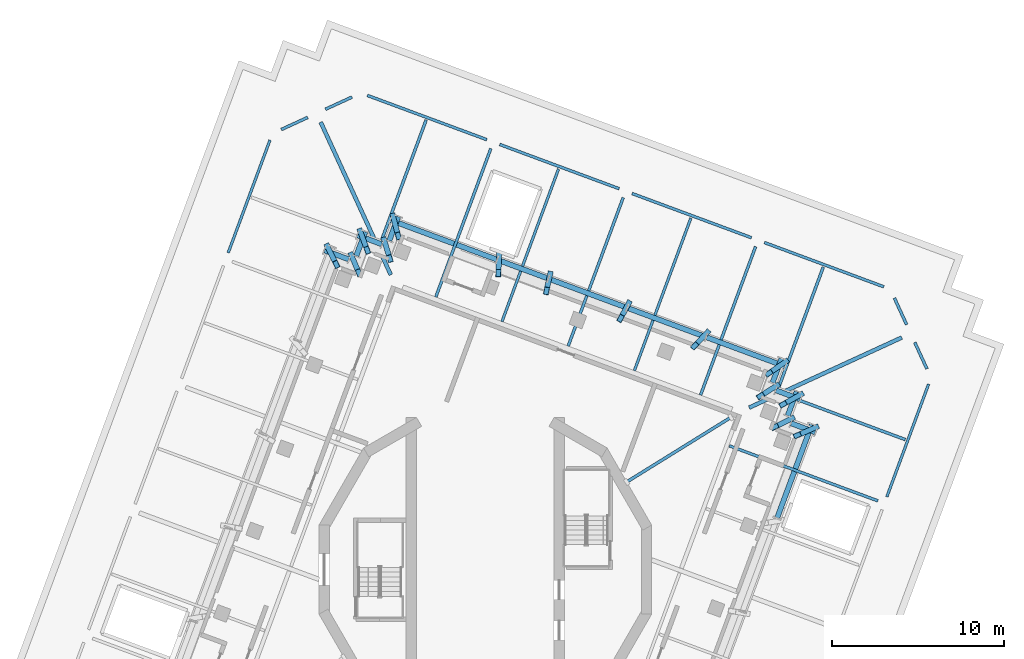
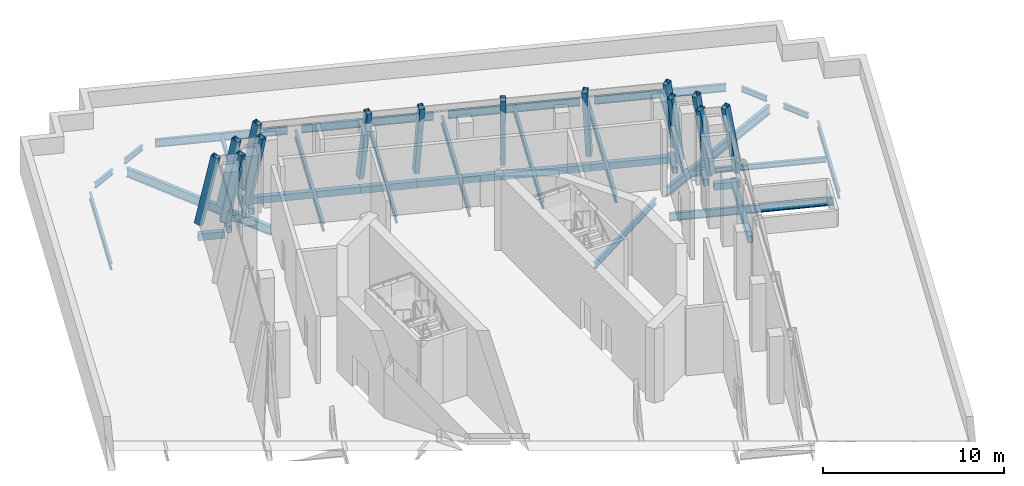
# One storey, part 3 of 12: 28 members, 22 beams, 15 elements without a shape of their own.
"""IFC4 building model written with IfcOpenShell, lengths in metres."""

from ifc_helpers import new_model, si_unit, direction, frame, origin, origin_2d, place, context, subcontext, project, spatial, hollow_rectangle, i_section, extrude, material, material_profile, profile_set, type_object, element, aggregate, save


model = new_model("IFC4")

# Units and contexts
model_context = context("Model", 3, precision=1e-05, world=origin(), true_north=direction((0.0, 1.0)))
body_context = subcontext(model_context, "Body", "Model", "MODEL_VIEW")
ifc_project = project(units=[si_unit("LENGTHUNIT", "METRE"), si_unit("AREAUNIT", "SQUARE_METRE"), si_unit("VOLUMEUNIT", "CUBIC_METRE"), si_unit("PLANEANGLEUNIT", "RADIAN"), si_unit("MASSUNIT", "GRAM", prefix="KILO")], contexts=[model_context])

# Site, building, storey
site_placement = place(None, origin())
site = spatial("IfcSite", under=ifc_project, at=site_placement, CompositionType="ELEMENT")
building_placement = place(site_placement, origin())
building = spatial("IfcBuilding", under=site, at=building_placement, Name="Cantera Rosa Tower", CompositionType="ELEMENT")
storey_placement = place(building_placement, frame((0.0, 0.0, 345.699951171875)))
storey = spatial("IfcBuildingStorey", under=building, at=storey_placement, Name="L78", CompositionType="ELEMENT", Elevation=345.699951171875)

# Curtain wall, member
ifc_material_1 = material(Name="Aluminium frame with clear glass", Category="aluminium")
curtain_wall_type = type_object("IfcCurtainWallType", Name="CW4 CROWN GLAZING", PredefinedType="NOTDEFINED", material=ifc_material_1)
curtain_wall_1_placement = place(storey_placement, origin())
curtain_wall_1 = element("IfcCurtainWall", 1, at=curtain_wall_1_placement, inside=storey, type_object=curtain_wall_type, Name="CW4 L78-01", PredefinedType="NOTDEFINED")
ifc_material_2 = material(Name="Steel S355J2 (EN 10025-2)", Category="steel")
ifc_material_profile_1 = material_profile(ifc_material_2, hollow_rectangle(XDim=0.300048828125, YDim=0.449951171875, WallThickness=0.01611328125, at=origin_2d()), Name="CROWN FRAME MULLION RHS 300x450x16")
ifc_profile_set_1 = profile_set([ifc_material_profile_1], Name="Steel S355J2 (EN 10025-2)")
member_type_1 = type_object("IfcMemberType", Name="CROWN FRAME MULLION RHS 300x450x16", PredefinedType="MULLION", material=ifc_profile_set_1)
member_1_placement = place(storey_placement, frame((17.40966796875, 12.0546875, 0.0), z_axis=(-0.183485118083, -0.127035481236, 0.974779563773), x_axis=(0.569232159269, -0.822176835513, 0.0)))
member_1 = element("IfcMember", 2, at=member_1_placement, type_object=member_type_1, Name="CROWN FRAME rib L78-01", PredefinedType="MULLION", context=body_context, shape_type="SweptSolid", body=[
    extrude(hollow_rectangle(XDim=0.300048828125, YDim=0.449951171875, WallThickness=0.01611328125, at=origin_2d()), origin(), (0.0, 0.0, 1.0), 5.12939453125),
])

curtain_wall_2_placement = place(storey_placement, origin())
curtain_wall_2 = element("IfcCurtainWall", 3, at=curtain_wall_2_placement, inside=storey, type_object=curtain_wall_type, Name="CW4 L78-02", PredefinedType="NOTDEFINED")
member_2_placement = place(storey_placement, frame((12.857666015625, 13.741455078125, 0.0), z_axis=(-0.136223280906, -0.145553642612, 0.979927219165), x_axis=(0.730120754726, -0.683318142243, 0.0)))
member_2 = element("IfcMember", 4, at=member_2_placement, type_object=member_type_1, Name="CROWN FRAME rib L78-02", PredefinedType="MULLION", context=body_context, shape_type="SweptSolid", body=[
    extrude(hollow_rectangle(XDim=0.300048828125, YDim=0.449951171875, WallThickness=0.01611328125, at=origin_2d()), origin(), (0.0, 0.0, 1.0), 5.1025390625),
])

curtain_wall_3_placement = place(storey_placement, origin())
curtain_wall_3 = element("IfcCurtainWall", 5, at=curtain_wall_3_placement, inside=storey, type_object=curtain_wall_type, Name="CW4 L78-03", PredefinedType="NOTDEFINED")
member_3_placement = place(storey_placement, frame((8.305908203125, 15.42822265625, 0.0), z_axis=(-0.088225909916, -0.163882386228, 0.982526718366), x_axis=(0.880512480257, -0.474022965806, 0.0)))
member_3 = element("IfcMember", 6, at=member_3_placement, type_object=member_type_1, Name="CROWN FRAME rib L78-03", PredefinedType="MULLION", context=body_context, shape_type="SweptSolid", body=[
    extrude(hollow_rectangle(XDim=0.300048828125, YDim=0.449951171875, WallThickness=0.01611328125, at=origin_2d()), origin(), (0.0, 0.0, 1.0), 5.0888671875),
])

curtain_wall_4_placement = place(storey_placement, origin())
curtain_wall_4 = element("IfcCurtainWall", 7, at=curtain_wall_4_placement, inside=storey, type_object=curtain_wall_type, Name="CW4 L78-04", PredefinedType="NOTDEFINED")
member_4_placement = place(storey_placement, frame((3.75390625, 17.114990234375, 0.0), z_axis=(-0.039867351696, -0.18177785268, 0.98253112243), x_axis=(0.976783829743, -0.214227332414, 0.0)))
member_4 = element("IfcMember", 8, at=member_4_placement, type_object=member_type_1, Name="CROWN FRAME rib L78-04", PredefinedType="MULLION", context=body_context, shape_type="SweptSolid", body=[
    extrude(hollow_rectangle(XDim=0.300048828125, YDim=0.449951171875, WallThickness=0.01611328125, at=origin_2d()), origin(), (0.0, 0.0, 1.0), 5.0888671875),
])

curtain_wall_5_placement = place(storey_placement, origin())
curtain_wall_5 = element("IfcCurtainWall", 9, at=curtain_wall_5_placement, inside=storey, type_object=curtain_wall_type, Name="CW4 L78-05", PredefinedType="NOTDEFINED")
member_5_placement = place(storey_placement, frame((0.80224609375, 18.208984375, 0.0), z_axis=(-0.00852740126, -0.193160010572, 0.98113021243), x_axis=(0.999026950985, -0.044103868372, 0.0)))
member_5 = element("IfcMember", 10, at=member_5_placement, type_object=member_type_1, Name="CROWN FRAME rib L78-05", PredefinedType="MULLION", context=body_context, shape_type="SweptSolid", body=[
    extrude(hollow_rectangle(XDim=0.300048828125, YDim=0.449951171875, WallThickness=0.01611328125, at=origin_2d()), origin(), (0.0, 0.0, 1.0), 5.09619140625),
])

curtain_wall_6_placement = place(storey_placement, origin())
curtain_wall_6 = element("IfcCurtainWall", 11, at=curtain_wall_6_placement, inside=storey, type_object=curtain_wall_type, Name="CW4 L78-06", PredefinedType="NOTDEFINED")
member_6_placement = place(storey_placement, frame((-5.349853515625, 20.48876953125, 0.0), z_axis=(0.056354338907, -0.215945638194, 0.974777754071), x_axis=(0.967594620627, 0.252508712987, 0.0)))
member_6 = element("IfcMember", 12, at=member_6_placement, type_object=member_type_1, Name="CROWN FRAME rib L78-06", PredefinedType="MULLION", context=body_context, shape_type="SweptSolid", body=[
    extrude(hollow_rectangle(XDim=0.300048828125, YDim=0.449951171875, WallThickness=0.01611328125, at=origin_2d()), origin(), (0.0, 0.0, 1.0), 5.12939453125),
])

curtain_wall_7_placement = place(storey_placement, origin())
curtain_wall_7 = element("IfcCurtainWall", 13, at=curtain_wall_7_placement, inside=storey, type_object=curtain_wall_type, Name="CW4 L78-07", PredefinedType="NOTDEFINED")
member_7_placement = place(storey_placement, frame((-5.8642578125, 19.100830078125, 0.0), z_axis=(0.061997729079, -0.201838642243, 0.977454573925), x_axis=(0.955920630537, 0.293625183038, 0.0)))
member_7 = element("IfcMember", 14, at=member_7_placement, type_object=member_type_1, Name="CROWN FRAME rib L78-07", PredefinedType="MULLION", context=body_context, shape_type="SweptSolid", body=[
    extrude(hollow_rectangle(XDim=0.300048828125, YDim=0.449951171875, WallThickness=0.01611328125, at=origin_2d()), origin(), (0.0, 0.0, 1.0), 5.115234375),
])

curtain_wall_8_placement = place(storey_placement, origin())
curtain_wall_8 = element("IfcCurtainWall", 15, at=curtain_wall_8_placement, inside=storey, type_object=curtain_wall_type, Name="CW4 L78-08", PredefinedType="NOTDEFINED")
member_8_placement = place(storey_placement, frame((-7.251953125, 19.615234375, 0.0), z_axis=(0.076487353501, -0.206839711243, 0.975380448137), x_axis=(0.937925785431, 0.346836014599, 0.0)))
member_8 = element("IfcMember", 16, at=member_8_placement, type_object=member_type_1, Name="CROWN FRAME rib L78-08", PredefinedType="MULLION", context=body_context, shape_type="SweptSolid", body=[
    extrude(hollow_rectangle(XDim=0.300048828125, YDim=0.449951171875, WallThickness=0.01611328125, at=origin_2d()), origin(), (0.0, 0.0, 1.0), 5.126220703125),
])

curtain_wall_9_placement = place(storey_placement, origin())
curtain_wall_9 = element("IfcCurtainWall", 17, at=curtain_wall_9_placement, inside=storey, type_object=curtain_wall_type, Name="CW4 L78-09", PredefinedType="NOTDEFINED")
member_9_placement = place(storey_placement, frame((-7.766357421875, 18.2275390625, 0.0), z_axis=(0.082121235001, -0.192698432827, 0.977815635357), x_axis=(0.919944828151, 0.392047845496, 0.0)))
member_9 = element("IfcMember", 18, at=member_9_placement, type_object=member_type_1, Name="CROWN FRAME rib L78-09", PredefinedType="MULLION", context=body_context, shape_type="SweptSolid", body=[
    extrude(hollow_rectangle(XDim=0.300048828125, YDim=0.449951171875, WallThickness=0.01611328125, at=origin_2d()), origin(), (0.0, 0.0, 1.0), 5.113525390625),
])

curtain_wall_10_placement = place(storey_placement, origin())
curtain_wall_10 = element("IfcCurtainWall", 19, at=curtain_wall_10_placement, inside=storey, type_object=curtain_wall_type, Name="CW4 L78-10", PredefinedType="NOTDEFINED")
member_10_placement = place(storey_placement, frame((-9.154052734375, 18.74169921875, 0.0), z_axis=(0.096550815783, -0.197626706801, 0.97551095572), x_axis=(0.898503957326, 0.438965418535, 0.0)))
member_10 = element("IfcMember", 20, at=member_10_placement, type_object=member_type_1, Name="CROWN FRAME rib L78-10", PredefinedType="MULLION", context=body_context, shape_type="SweptSolid", body=[
    extrude(hollow_rectangle(XDim=0.300048828125, YDim=0.449951171875, WallThickness=0.01611328125, at=origin_2d()), origin(), (0.0, 0.0, 1.0), 5.12548828125),
])
aggregate(curtain_wall_10, [member_10])

curtain_wall_11_placement = place(storey_placement, origin())
curtain_wall_11 = element("IfcCurtainWall", 21, at=curtain_wall_11_placement, inside=storey, type_object=curtain_wall_type, Name="CW4 L78-33", PredefinedType="NOTDEFINED")
member_11_placement = place(storey_placement, frame((19.15673828125, 8.25048828125, 0.0), z_axis=(-0.202055162633, -0.086976126112, 0.975504415541), x_axis=(0.395382237712, -0.918516677095, 0.0)))
member_11 = element("IfcMember", 22, at=member_11_placement, type_object=member_type_1, Name="CROWN FRAME rib L78-33", PredefinedType="MULLION", context=body_context, shape_type="SweptSolid", body=[
    extrude(hollow_rectangle(XDim=0.300048828125, YDim=0.449951171875, WallThickness=0.01611328125, at=origin_2d()), origin(), (0.0, 0.0, 1.0), 5.12548828125),
])

curtain_wall_12_placement = place(storey_placement, origin())
curtain_wall_12 = element("IfcCurtainWall", 23, at=curtain_wall_12_placement, inside=storey, type_object=curtain_wall_type, Name="CW4 L78-34", PredefinedType="NOTDEFINED")
member_12_placement = place(storey_placement, frame((17.768798828125, 8.764892578125, 0.0), z_axis=(-0.18782927877, -0.092673266419, 0.97781993625), x_axis=(0.442465792491, -0.896785382617, 0.0)))
member_12 = element("IfcMember", 24, at=member_12_placement, type_object=member_type_1, Name="CROWN FRAME rib L78-34", PredefinedType="MULLION", context=body_context, shape_type="SweptSolid", body=[
    extrude(hollow_rectangle(XDim=0.300048828125, YDim=0.449951171875, WallThickness=0.01611328125, at=origin_2d()), origin(), (0.0, 0.0, 1.0), 5.113525390625),
])

curtain_wall_13_placement = place(storey_placement, origin())
curtain_wall_13 = element("IfcCurtainWall", 25, at=curtain_wall_13_placement, inside=storey, type_object=curtain_wall_type, Name="CW4 L78-35", PredefinedType="NOTDEFINED")
member_13_placement = place(storey_placement, frame((18.283203125, 10.152587890625, 0.0), z_axis=(-0.192790277185, -0.107063375275, 0.975381639512), x_axis=(0.485496229045, -0.874238761199, 0.0)))
member_13 = element("IfcMember", 26, at=member_13_placement, type_object=member_type_1, Name="CROWN FRAME rib L78-35", PredefinedType="MULLION", context=body_context, shape_type="SweptSolid", body=[
    extrude(hollow_rectangle(XDim=0.300048828125, YDim=0.449951171875, WallThickness=0.01611328125, at=origin_2d()), origin(), (0.0, 0.0, 1.0), 5.126220703125),
])

curtain_wall_14_placement = place(storey_placement, origin())
curtain_wall_14 = element("IfcCurtainWall", 27, at=curtain_wall_14_placement, inside=storey, type_object=curtain_wall_type, Name="CW4 L78-36", PredefinedType="NOTDEFINED")
member_14_placement = place(storey_placement, frame((16.895263671875, 10.6669921875, 0.0), z_axis=(-0.178501061972, -0.112732488871, 0.977460360745), x_axis=(0.533975980115, -0.845499646753, 0.0)))
member_14 = element("IfcMember", 28, at=member_14_placement, type_object=member_type_1, Name="CROWN FRAME rib L78-36", PredefinedType="MULLION", context=body_context, shape_type="SweptSolid", body=[
    extrude(hollow_rectangle(XDim=0.300048828125, YDim=0.449951171875, WallThickness=0.01611328125, at=origin_2d()), origin(), (0.0, 0.0, 1.0), 5.115234375),
])

# Member
ifc_material_3 = material(Name="Steel S355J2 (EN 10025-2)", Category="steel")
ifc_material_profile_2 = material_profile(ifc_material_3, hollow_rectangle(XDim=0.300048828125, YDim=0.449951171875, WallThickness=0.01611328125, at=origin_2d()), Name="CROWN FRAME PURLIN RHS 300x450x16")
ifc_profile_set_2 = profile_set([ifc_material_profile_2], Name="Steel S355J2 (EN 10025-2)")
member_type_2 = type_object("IfcMemberType", Name="CROWN FRAME PURLIN RHS 300x450x16", PredefinedType="PURLIN", material=ifc_profile_set_2)
member_15_placement = place(storey_placement, frame((17.405029296875, 11.8115234375, -0.675048828125), z_axis=(-0.937685464067, 0.347485209004, 0.0), x_axis=(-0.347485209004, -0.937685464067, 0.0)))
member_15 = element("IfcMember", 29, at=member_15_placement, type_object=member_type_2, Name="CROWN FRAME purlin L78-01", PredefinedType="PURLIN", context=body_context, shape_type="SweptSolid", body=[
    extrude(hollow_rectangle(XDim=0.300048828125, YDim=0.449951171875, WallThickness=0.01611328125, at=origin_2d()), origin(), (0.0, 0.0, 1.0), 4.886474609375),
])

aggregate(curtain_wall_1, [member_1, member_15])

member_16_placement = place(storey_placement, frame((12.822998046875, 13.509521484375, -0.675048828125), z_axis=(-0.937685464067, 0.347485209004, 0.0), x_axis=(-0.347485209004, -0.937685464067, 0.0)))
member_16 = element("IfcMember", 30, at=member_16_placement, type_object=member_type_2, Name="CROWN FRAME purlin L78-02", PredefinedType="PURLIN", context=body_context, shape_type="SweptSolid", body=[
    extrude(hollow_rectangle(XDim=0.300048828125, YDim=0.449951171875, WallThickness=0.01611328125, at=origin_2d()), origin(), (0.0, 0.0, 1.0), 4.886474609375),
])

aggregate(curtain_wall_2, [member_2, member_16])

member_17_placement = place(storey_placement, frame((8.240966796875, 15.20751953125, -0.675048828125), z_axis=(-0.937679430942, 0.347501488901, 0.0), x_axis=(-0.347501488901, -0.937679430942, 0.0)))
member_17 = element("IfcMember", 31, at=member_17_placement, type_object=member_type_2, Name="CROWN FRAME purlin L78-03", PredefinedType="PURLIN", context=body_context, shape_type="SweptSolid", body=[
    extrude(hollow_rectangle(XDim=0.300048828125, YDim=0.449951171875, WallThickness=0.01611328125, at=origin_2d()), origin(), (0.0, 0.0, 1.0), 4.88623046875),
])

aggregate(curtain_wall_3, [member_3, member_17])

member_18_placement = place(storey_placement, frame((3.6591796875, 16.905517578125, -0.675048828125), z_axis=(-0.937683684986, 0.347490009802, 0.0), x_axis=(-0.347490009802, -0.937683684986, 0.0)))
member_18 = element("IfcMember", 32, at=member_18_placement, type_object=member_type_2, Name="CROWN FRAME purlin L78-04", PredefinedType="PURLIN", context=body_context, shape_type="SweptSolid", body=[
    extrude(hollow_rectangle(XDim=0.300048828125, YDim=0.449951171875, WallThickness=0.01611328125, at=origin_2d()), origin(), (0.0, 0.0, 1.0), 3.168701171875),
])

aggregate(curtain_wall_4, [member_4, member_18])

member_19_placement = place(storey_placement, frame((0.68798828125, 18.006591796875, -0.675048828125), z_axis=(-0.937698361931, 0.347450402262, 0.0), x_axis=(-0.347450402262, -0.937698361931, 0.0)))
member_19 = element("IfcMember", 33, at=member_19_placement, type_object=member_type_2, Name="CROWN FRAME purlin L78-05", PredefinedType="PURLIN", context=body_context, shape_type="SweptSolid", body=[
    extrude(hollow_rectangle(XDim=0.300048828125, YDim=0.449951171875, WallThickness=0.01611328125, at=origin_2d()), origin(), (0.0, 0.0, 1.0), 6.604248046875),
])

aggregate(curtain_wall_5, [member_5, member_19])

member_20_placement = place(storey_placement, frame((-5.06103515625, 20.507568359375, -0.675048828125), z_axis=(-0.347367721038, -0.937728994103, 0.0), x_axis=(0.937728994103, -0.347367721038, 0.0)))
member_20 = element("IfcMember", 34, at=member_20_placement, type_object=member_type_2, Name="CROWN FRAME purlin L78-06", PredefinedType="PURLIN", context=body_context, shape_type="SweptSolid", body=[
    extrude(hollow_rectangle(XDim=0.300048828125, YDim=0.449951171875, WallThickness=0.01611328125, at=origin_2d()), origin(), (0.0, 0.0, 1.0), 1.489990234375),
])

aggregate(curtain_wall_6, [member_6, member_20])

member_21_placement = place(storey_placement, frame((-6.023193359375, 18.904541015625, -0.675048828125), z_axis=(-0.937655822208, 0.347565186806, 0.0), x_axis=(-0.347565186806, -0.937655822208, 0.0)))
member_21 = element("IfcMember", 35, at=member_21_placement, type_object=member_type_2, Name="CROWN FRAME purlin L78-07", PredefinedType="PURLIN", context=body_context, shape_type="SweptSolid", body=[
    extrude(hollow_rectangle(XDim=0.300048828125, YDim=0.449951171875, WallThickness=0.01611328125, at=origin_2d()), origin(), (0.0, 0.0, 1.0), 1.48974609375),
])

aggregate(curtain_wall_7, [member_7, member_21])

member_22_placement = place(storey_placement, frame((-6.976318359375, 19.627197265625, -0.675048828125), z_axis=(-0.347367721038, -0.937728994103, 0.0), x_axis=(0.937728994103, -0.347367721038, 0.0)))
member_22 = element("IfcMember", 36, at=member_22_placement, type_object=member_type_2, Name="CROWN FRAME purlin L78-08", PredefinedType="PURLIN", context=body_context, shape_type="SweptSolid", body=[
    extrude(hollow_rectangle(XDim=0.300048828125, YDim=0.449951171875, WallThickness=0.01611328125, at=origin_2d()), origin(), (0.0, 0.0, 1.0), 1.489990234375),
])

aggregate(curtain_wall_8, [member_8, member_22])

member_23_placement = place(storey_placement, frame((-7.9384765625, 18.025634765625, -0.675048828125), z_axis=(-0.937728994103, 0.347367721038, 0.0), x_axis=(-0.347367721038, -0.937728994103, 0.0)))
member_23 = element("IfcMember", 37, at=member_23_placement, type_object=member_type_2, Name="CROWN FRAME purlin L78-09", PredefinedType="PURLIN", context=body_context, shape_type="SweptSolid", body=[
    extrude(hollow_rectangle(XDim=0.300048828125, YDim=0.449951171875, WallThickness=0.01611328125, at=origin_2d()), origin(), (0.0, 0.0, 1.0), 1.489990234375),
])

aggregate(curtain_wall_9, [member_9, member_23])

# Curtain wall, member
curtain_wall_15_placement = place(storey_placement, origin())
curtain_wall_15 = element("IfcCurtainWall", 38, at=curtain_wall_15_placement, inside=storey, type_object=curtain_wall_type, Name="CW4 L78-32", PredefinedType="NOTDEFINED")
member_24_placement = place(storey_placement, frame((16.947021484375, 2.9912109375, -0.675048828125), z_axis=(0.347483101346, 0.937686245116, 0.0), x_axis=(-0.937686245116, 0.347483101346, 0.0)))
member_24 = element("IfcMember", 39, at=member_24_placement, type_object=member_type_2, Name="CROWN FRAME purlin L78-32", PredefinedType="PURLIN", context=body_context, shape_type="SweptSolid", body=[
    extrude(hollow_rectangle(XDim=0.300048828125, YDim=0.449951171875, WallThickness=0.01611328125, at=origin_2d()), origin(), (0.0, 0.0, 1.0), 5.795654296875),
])
aggregate(curtain_wall_15, [member_24])

# Member
member_25_placement = place(storey_placement, frame((19.1650390625, 7.981689453125, -0.675048828125), z_axis=(-0.937655822208, 0.347565186806, 0.0), x_axis=(-0.347565186806, -0.937655822208, 0.0)))
member_25 = element("IfcMember", 40, at=member_25_placement, type_object=member_type_2, Name="CROWN FRAME purlin L78-33", PredefinedType="PURLIN", context=body_context, shape_type="SweptSolid", body=[
    extrude(hollow_rectangle(XDim=0.300048828125, YDim=0.449951171875, WallThickness=0.01611328125, at=origin_2d()), origin(), (0.0, 0.0, 1.0), 1.48974609375),
])

aggregate(curtain_wall_11, [member_11, member_25])

member_26_placement = place(storey_placement, frame((17.56396484375, 8.9443359375, -0.675048828125), z_axis=(0.347565186806, 0.937655822208, 0.0), x_axis=(-0.937655822208, 0.347565186806, 0.0)))
member_26 = element("IfcMember", 41, at=member_26_placement, type_object=member_type_2, Name="CROWN FRAME purlin L78-34", PredefinedType="PURLIN", context=body_context, shape_type="SweptSolid", body=[
    extrude(hollow_rectangle(XDim=0.300048828125, YDim=0.449951171875, WallThickness=0.01611328125, at=origin_2d()), origin(), (0.0, 0.0, 1.0), 1.48974609375),
])

aggregate(curtain_wall_12, [member_12, member_26])

member_27_placement = place(storey_placement, frame((18.284912109375, 9.896728515625, -0.675048828125), z_axis=(-0.937709218369, 0.347421101528, 0.0), x_axis=(-0.347421101528, -0.937709218369, 0.0)))
member_27 = element("IfcMember", 42, at=member_27_placement, type_object=member_type_2, Name="CROWN FRAME purlin L78-35", PredefinedType="PURLIN", context=body_context, shape_type="SweptSolid", body=[
    extrude(hollow_rectangle(XDim=0.300048828125, YDim=0.449951171875, WallThickness=0.01611328125, at=origin_2d()), origin(), (0.0, 0.0, 1.0), 1.48974609375),
])

aggregate(curtain_wall_13, [member_13, member_27])

member_28_placement = place(storey_placement, frame((16.684814453125, 10.860107421875, -0.675048828125), z_axis=(0.347511790258, 0.937675613222, 0.0), x_axis=(-0.937675613222, 0.347511790258, 0.0)))
member_28 = element("IfcMember", 43, at=member_28_placement, type_object=member_type_2, Name="CROWN FRAME purlin L78-36", PredefinedType="PURLIN", context=body_context, shape_type="SweptSolid", body=[
    extrude(hollow_rectangle(XDim=0.300048828125, YDim=0.449951171875, WallThickness=0.01611328125, at=origin_2d()), origin(), (0.0, 0.0, 1.0), 1.489990234375),
])

aggregate(curtain_wall_14, [member_14, member_28])

# Beams
ifc_material_4 = material(Name="Steel ASTM A992 (Fy 345 MPa)", Category="steel")
ifc_material_profile_3 = material_profile(ifc_material_4, i_section(OverallWidth=0.177978515625, OverallDepth=0.406005859375, WebThickness=0.0078125, FlangeThickness=0.0126953125, FilletRadius=0.01025390625, at=origin_2d()), Name="W410X60")
ifc_profile_set_3 = profile_set([ifc_material_profile_3], Name="Steel ASTM A992 (Fy 345 MPa)")
beam_type_1 = type_object("IfcBeamType", Name="STEEL BEAM W410X60", PredefinedType="BEAM", material=ifc_profile_set_3)
beam_1_placement = place(storey_placement, frame((14.262451171875, 8.84521484375, -0.65283203125), z_axis=(-0.849840939707, -0.527039255841, 0.0), x_axis=(0.527039255841, -0.849840939707, 0.0)))
element("IfcBeam", 44, at=beam_1_placement, inside=storey, type_object=beam_type_1, Name="PG-Z6-02 L78", PredefinedType="BEAM", context=body_context, shape_type="SweptSolid", body=[
    extrude(i_section(OverallWidth=0.177978515625, OverallDepth=0.406005859375, WebThickness=0.0078125, FlangeThickness=0.0126953125, FilletRadius=0.01025390625, at=origin_2d()), origin(), (0.0, 0.0, 1.0), 7.118408203125),
])
ifc_material_5 = material(Name="Steel ASTM A992 (Fy 345 MPa)", Category="steel")
ifc_material_profile_4 = material_profile(ifc_material_5, i_section(OverallWidth=0.166015625, OverallDepth=0.528076171875, WebThickness=0.009765625, FlangeThickness=0.013671875, FilletRadius=0.0126953125, at=origin_2d()), Name="W530X74")
ifc_profile_set_4 = profile_set([ifc_material_profile_4], Name="Steel ASTM A992 (Fy 345 MPa)")
beam_type_2 = type_object("IfcBeamType", Name="STEEL BEAM W530X74", PredefinedType="BEAM", material=ifc_profile_set_4)
for number, where, z_axis, x_axis, name in (
    (45, (15.698486328125, 18.764404296875, -0.7138671875), (-0.347476838353, -0.937688566, 0.0), (0.937688566, -0.347476838353, 0.0), "G-Z6-01 L78"),
    (46, (8.009521484375, 21.61376953125, -0.7138671875), (-0.34750017104, -0.937679919337, 0.0), (0.937679919337, -0.34750017104, 0.0), "G-Z6-02 L78"),
    (47, (0.3203125, 24.463134765625, -0.7138671875), (-0.347476838353, -0.937688566, 0.0), (0.937688566, -0.347476838353, 0.0), "G-Z6-03 L78"),
    (48, (22.808837890625, 3.9931640625, -0.7138671875), (-0.937688566, 0.347476838353, 0.0), (-0.347476838353, -0.937688566, 0.0), "G-Z6-11 L78"),
):
    element("IfcBeam", number, at=place(storey_placement, frame(where, z_axis=z_axis, x_axis=x_axis)), inside=storey, type_object=beam_type_2, Name=name, PredefinedType="BEAM", context=body_context, shape_type="SweptSolid", body=[
        extrude(i_section(OverallWidth=0.166015625, OverallDepth=0.528076171875, WebThickness=0.009765625, FlangeThickness=0.013671875, FilletRadius=0.0126953125, at=origin_2d()), origin(), (0.0, 0.0, 1.0), 9.199951171875),
    ])
ifc_material_6 = material(Name="Steel ASTM A992 (Fy 345 MPa)", Category="steel")
ifc_material_profile_5 = material_profile(ifc_material_6, i_section(OverallWidth=0.22802734375, OverallDepth=0.60205078125, WebThickness=0.010498046875, FlangeThickness=0.014892578125, FilletRadius=0.0126953125, at=origin_2d()), Name="W610X101")
ifc_profile_set_5 = profile_set([ifc_material_profile_5], Name="Steel ASTM A992 (Fy 345 MPa)")
beam_type_3 = type_object("IfcBeamType", Name="STEEL BEAM W610X101", PredefinedType="BEAM", material=ifc_profile_set_5)
for number, where, z_axis, x_axis, name in (
    (49, (-9.56396484375, 25.992919921875, -0.7509765625), (0.417345508131, -0.908747889595, 0.0), (0.908747889595, 0.417345508131, 0.0), "CB-Z6-01 L78"),
    (50, (24.19287109375, 13.483642578125, -0.7509765625), (-0.908747889595, -0.417345508131, 0.0), (0.417345508131, -0.908747889595, 0.0), "CB-Z6-04 L78"),
):
    element("IfcBeam", number, at=place(storey_placement, frame(where, z_axis=z_axis, x_axis=x_axis)), inside=storey, type_object=beam_type_3, Name=name, PredefinedType="BEAM", context=body_context, shape_type="SweptSolid", body=[
        extrude(i_section(OverallWidth=0.22802734375, OverallDepth=0.60205078125, WebThickness=0.010498046875, FlangeThickness=0.014892578125, FilletRadius=0.0126953125, at=origin_2d()), origin(), (0.0, 0.0, 1.0), 9.758056640625),
    ])
ifc_material_7 = material(Name="Steel ASTM A992 (Fy 345 MPa)", Category="steel")
ifc_material_profile_6 = material_profile(ifc_material_7, i_section(OverallWidth=0.1708984375, OverallDepth=0.35595703125, WebThickness=0.00732421875, FlangeThickness=0.01171875, FilletRadius=0.010009765625, at=origin_2d()), Name="W360X51")
ifc_profile_set_6 = profile_set([ifc_material_profile_6], Name="Steel ASTM A992 (Fy 345 MPa)")
beam_type_4 = type_object("IfcBeamType", Name="STEEL JOIST W360X51", PredefinedType="JOIST", material=ifc_profile_set_6)
for number, where, z_axis, x_axis, name in (
    (51, (19.6298828125, 17.573974609375, -0.6279296875), (-0.347491728417, -0.937683048093, 0.0), (0.937683048093, -0.347491728417, 0.0), "B-Z6-01 L78"),
    (52, (-3.437255859375, 26.1220703125, -0.6279296875), (-0.347491728417, -0.937683048093, 0.0), (0.937683048093, -0.347491728417, 0.0), "B-Z6-04 L78"),
):
    element("IfcBeam", number, at=place(storey_placement, frame(where, z_axis=z_axis, x_axis=x_axis)), inside=storey, type_object=beam_type_4, Name=name, PredefinedType="JOIST", context=body_context, shape_type="SweptSolid", body=[
        extrude(i_section(OverallWidth=0.1708984375, OverallDepth=0.35595703125, WebThickness=0.00732421875, FlangeThickness=0.01171875, FilletRadius=0.010009765625, at=origin_2d()), origin(), (0.0, 0.0, 1.0), 7.800048828125),
    ])
beam_2_placement = place(storey_placement, frame((24.39501953125, 7.553955078125, -0.6279296875), z_axis=(-0.937686277131, 0.347483014951, 0.0), x_axis=(-0.347483014951, -0.937686277131, 0.0)))
element("IfcBeam", 53, at=beam_2_placement, inside=storey, type_object=beam_type_4, Name="B-Z6-14 L78", PredefinedType="JOIST", context=body_context, shape_type="SweptSolid", body=[
    extrude(i_section(OverallWidth=0.1708984375, OverallDepth=0.35595703125, WebThickness=0.00732421875, FlangeThickness=0.01171875, FilletRadius=0.010009765625, at=origin_2d()), origin(), (0.0, 0.0, 1.0), 7.590087890625),
])
ifc_material_8 = material(Name="Steel ASTM A992 (Fy 345 MPa)", Category="steel")
ifc_material_profile_7 = material_profile(ifc_material_8, i_section(OverallWidth=0.154052734375, OverallDepth=0.4599609375, WebThickness=0.009033203125, FlangeThickness=0.015380859375, FilletRadius=0.01025390625, at=origin_2d()), Name="W460X68")
ifc_profile_set_7 = profile_set([ifc_material_profile_7], Name="Steel ASTM A992 (Fy 345 MPa)")
beam_type_5 = type_object("IfcBeamType", Name="STEEL JOIST W460X68", PredefinedType="JOIST", material=ifc_profile_set_7)
for number, where, z_axis, x_axis, name in (
    (54, (11.94091796875, 20.42333984375, -0.679931640625), (-0.347482637031, -0.937686417179, 0.0), (0.937686417179, -0.347482637031, 0.0), "B-Z6-02 L78"),
    (55, (4.251708984375, 23.272705078125, -0.679931640625), (-0.347482637031, -0.937686417179, 0.0), (0.937686417179, -0.347482637031, 0.0), "B-Z6-03 L78"),
):
    element("IfcBeam", number, at=place(storey_placement, frame(where, z_axis=z_axis, x_axis=x_axis)), inside=storey, type_object=beam_type_5, Name=name, PredefinedType="JOIST", context=body_context, shape_type="SweptSolid", body=[
        extrude(i_section(OverallWidth=0.154052734375, OverallDepth=0.4599609375, WebThickness=0.009033203125, FlangeThickness=0.015380859375, FilletRadius=0.01025390625, at=origin_2d()), origin(), (0.0, 0.0, 1.0), 9.449951171875),
    ])
ifc_material_9 = material(Name="Steel ASTM A992 (Fy 345 MPa)", Category="steel")
ifc_material_profile_8 = material_profile(ifc_material_9, i_section(OverallWidth=0.1708984375, OverallDepth=0.35595703125, WebThickness=0.00732421875, FlangeThickness=0.01171875, FilletRadius=0.010009765625, at=origin_2d()), Name="W360X51")
ifc_profile_set_8 = profile_set([ifc_material_profile_8], Name="Steel ASTM A992 (Fy 345 MPa)")
beam_type_6 = type_object("IfcBeamType", Name="STEEL SPANDREL BEAM W360X51", PredefinedType="SPANDREL", material=ifc_profile_set_8)
for number, where, z_axis, x_axis, name in (
    (56, (-7.74365234375, 27.451416015625, -0.6279296875), (-0.908753529973, -0.417333226286, 0.0), (0.417333226286, -0.908753529973, 0.0), "EB-Z6-05 L78"),
    (57, (-10.31396484375, 26.27099609375, -0.6279296875), (-0.908753529973, -0.417333226286, 0.0), (0.417333226286, -0.908753529973, 0.0), "EB-Z6-06 L78"),
):
    element("IfcBeam", number, at=place(storey_placement, frame(where, z_axis=z_axis, x_axis=x_axis)), inside=storey, type_object=beam_type_6, Name=name, PredefinedType="SPANDREL", context=body_context, shape_type="SweptSolid", body=[
        extrude(i_section(OverallWidth=0.1708984375, OverallDepth=0.35595703125, WebThickness=0.00732421875, FlangeThickness=0.01171875, FilletRadius=0.010009765625, at=origin_2d()), origin(), (0.0, 0.0, 1.0), 1.697021484375),
    ])
for number, where, z_axis, x_axis, name in (
    (58, (25.651123046875, 11.66357421875, -0.6279296875), (-0.417268968709, 0.908783036677, 0.0), (-0.908783036677, -0.417268968709, 0.0), "EB-Z6-25 L78"),
    (59, (24.470947265625, 14.23388671875, -0.6279296875), (-0.417387791404, 0.908728469669, 0.0), (-0.908728469669, -0.417387791404, 0.0), "EB-Z6-26 L78"),
):
    element("IfcBeam", number, at=place(storey_placement, frame(where, z_axis=z_axis, x_axis=x_axis)), inside=storey, type_object=beam_type_6, Name=name, PredefinedType="SPANDREL", context=body_context, shape_type="SweptSolid", body=[
        extrude(i_section(OverallWidth=0.1708984375, OverallDepth=0.35595703125, WebThickness=0.00732421875, FlangeThickness=0.01171875, FilletRadius=0.010009765625, at=origin_2d()), origin(), (0.0, 0.0, 1.0), 1.69677734375),
    ])
ifc_material_10 = material(Name="Steel ASTM A992 (Fy 345 MPa)", Category="steel")
ifc_material_profile_9 = material_profile(ifc_material_10, i_section(OverallWidth=0.154052734375, OverallDepth=0.4599609375, WebThickness=0.009033203125, FlangeThickness=0.015380859375, FilletRadius=0.01025390625, at=origin_2d()), Name="W460X68")
ifc_profile_set_9 = profile_set([ifc_material_profile_9], Name="Steel ASTM A992 (Fy 345 MPa)")
beam_type_7 = type_object("IfcBeamType", Name="STEEL SPANDREL BEAM W460X68", PredefinedType="SPANDREL", material=ifc_profile_set_9)
beam_3_placement = place(storey_placement, frame((-12.50927734375, 24.95166015625, -0.679931640625), z_axis=(-0.347490919506, -0.937683347864, 0.0), x_axis=(0.937683347864, -0.347490919506, 0.0)))
element("IfcBeam", 60, at=beam_3_placement, inside=storey, type_object=beam_type_7, Name="EB-Z6-07 L78", PredefinedType="SPANDREL", context=body_context, shape_type="SweptSolid", body=[
    extrude(i_section(OverallWidth=0.154052734375, OverallDepth=0.4599609375, WebThickness=0.009033203125, FlangeThickness=0.015380859375, FilletRadius=0.01025390625, at=origin_2d()), origin(), (0.0, 0.0, 1.0), 6.980224609375),
])
beam_4_placement = place(storey_placement, frame((23.322998046875, 4.229248046875, -0.679931640625), z_axis=(0.347460165909, 0.937694744097, 0.0), x_axis=(-0.937694744097, 0.347460165909, 0.0)))
element("IfcBeam", 61, at=beam_4_placement, inside=storey, type_object=beam_type_7, Name="EB-Z6-24 L78", PredefinedType="SPANDREL", context=body_context, shape_type="SweptSolid", body=[
    extrude(i_section(OverallWidth=0.154052734375, OverallDepth=0.4599609375, WebThickness=0.009033203125, FlangeThickness=0.015380859375, FilletRadius=0.01025390625, at=origin_2d()), origin(), (0.0, 0.0, 1.0), 6.97998046875),
])
ifc_material_11 = material(Name="Steel ASTM A992 (Fy 345 MPa)", Category="steel")
ifc_material_profile_10 = material_profile(ifc_material_11, i_section(OverallWidth=0.166015625, OverallDepth=0.528076171875, WebThickness=0.009765625, FlangeThickness=0.013671875, FilletRadius=0.0126953125, at=origin_2d()), Name="W530X74")
ifc_profile_set_10 = profile_set([ifc_material_profile_10], Name="Steel ASTM A992 (Fy 345 MPa)")
beam_type_8 = type_object("IfcBeamType", Name="STEEL SPANDREL BEAM W530X74", PredefinedType="SPANDREL", material=ifc_profile_set_10)
beam_5_placement = place(storey_placement, frame((23.1513671875, 16.428955078125, -0.7138671875), z_axis=(-0.937676706507, 0.347508840281, 0.0), x_axis=(-0.347508840281, -0.937676706507, 0.0)))
element("IfcBeam", 62, at=beam_5_placement, inside=storey, type_object=beam_type_8, Name="EB-Z6-01 L78", PredefinedType="SPANDREL", context=body_context, shape_type="SweptSolid", body=[
    extrude(i_section(OverallWidth=0.166015625, OverallDepth=0.528076171875, WebThickness=0.009765625, FlangeThickness=0.013671875, FilletRadius=0.0126953125, at=origin_2d()), origin(), (0.0, 0.0, 1.0), 7.39990234375),
])
for number, where, z_axis, x_axis, name in (
    (63, (15.46240234375, 19.2783203125, -0.7138671875), (-0.937680690562, 0.34749808999, 0.0), (-0.34749808999, -0.937680690562, 0.0), "EB-Z6-02 L78"),
    (64, (7.7734375, 22.127685546875, -0.7138671875), (-0.937680690562, 0.34749808999, 0.0), (-0.34749808999, -0.937680690562, 0.0), "EB-Z6-03 L78"),
):
    element("IfcBeam", number, at=place(storey_placement, frame(where, z_axis=z_axis, x_axis=x_axis)), inside=storey, type_object=beam_type_8, Name=name, PredefinedType="SPANDREL", context=body_context, shape_type="SweptSolid", body=[
        extrude(i_section(OverallWidth=0.166015625, OverallDepth=0.528076171875, WebThickness=0.009765625, FlangeThickness=0.013671875, FilletRadius=0.0126953125, at=origin_2d()), origin(), (0.0, 0.0, 1.0), 7.400146484375),
    ])
beam_6_placement = place(storey_placement, frame((0.084228515625, 24.97705078125, -0.7138671875), z_axis=(-0.937687456783, 0.347479831633, 0.0), x_axis=(-0.347479831633, -0.937687456783, 0.0)))
element("IfcBeam", 65, at=beam_6_placement, inside=storey, type_object=beam_type_8, Name="EB-Z6-04 L78", PredefinedType="SPANDREL", context=body_context, shape_type="SweptSolid", body=[
    extrude(i_section(OverallWidth=0.166015625, OverallDepth=0.528076171875, WebThickness=0.009765625, FlangeThickness=0.013671875, FilletRadius=0.0126953125, at=origin_2d()), origin(), (0.0, 0.0, 1.0), 7.39990234375),
])

save(model, "model.ifc")
